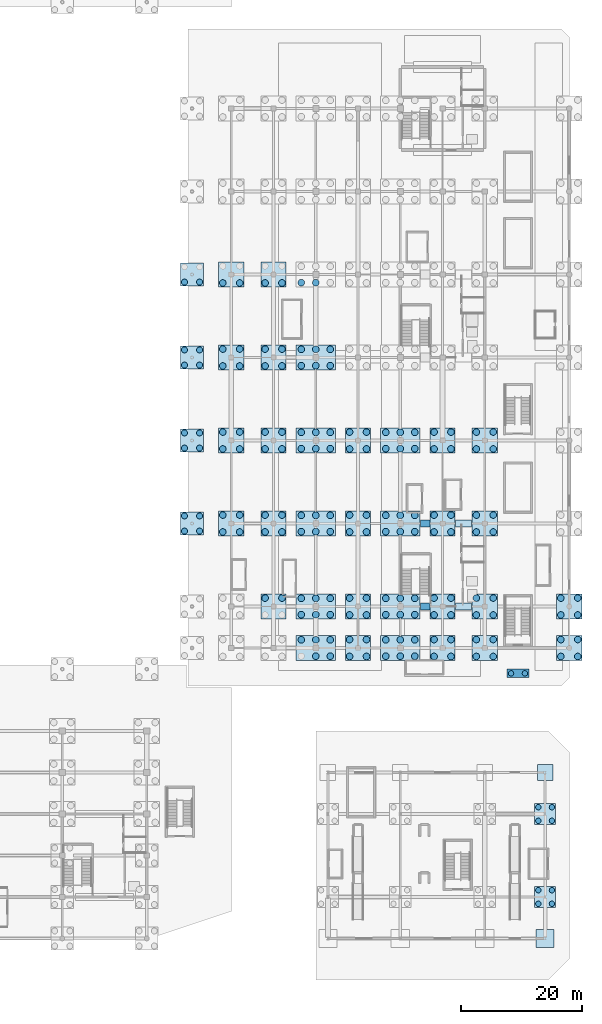
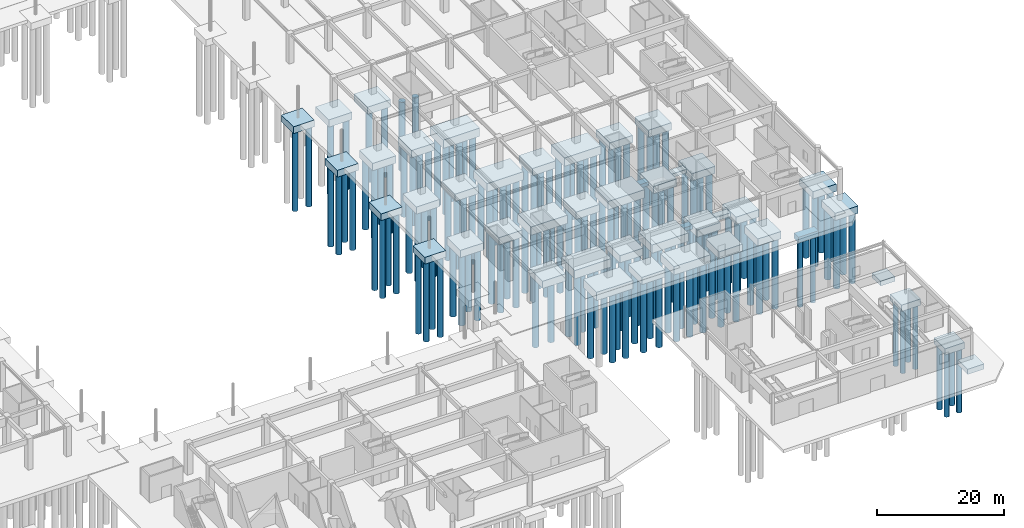
# One storey, part 4 of 62: 165 piles, 45 footings.
"""IFC4 building model written with IfcOpenShell, lengths in metres."""

from ifc_helpers import new_model, si_unit, direction, frame, origin, origin_2d, place, context, subcontext, project, spatial, rectangle, circle, extrude, material, material_profile, profile_set, type_object, element, save


model = new_model("IFC4")

# Units and contexts
model_context = context("Model", 3, precision=1e-05, world=origin(), true_north=direction((0.0, 1.0)))
body_context = subcontext(model_context, "Body", "Model", "MODEL_VIEW")
ifc_project = project(units=[si_unit("LENGTHUNIT", "METRE"), si_unit("AREAUNIT", "SQUARE_METRE"), si_unit("VOLUMEUNIT", "CUBIC_METRE"), si_unit("PLANEANGLEUNIT", "RADIAN"), si_unit("MASSUNIT", "GRAM", prefix="KILO")], contexts=[model_context])

# Site, building, storey
site_placement = place(None, origin())
site = spatial("IfcSite", under=ifc_project, at=site_placement, CompositionType="ELEMENT")
building_placement = place(site_placement, origin())
building = spatial("IfcBuilding", under=site, at=building_placement, Name="Linyun Crest Stadium", CompositionType="ELEMENT")
storey_placement = place(building_placement, frame((0.0, 0.0, -6.0)))
storey = spatial("IfcBuildingStorey", under=building, at=storey_placement, Name="B1", CompositionType="ELEMENT", Elevation=-6.0)

# Piles
ifc_material_1 = material(Name="Concrete C40", Category="concrete")
ifc_material_profile_1 = material_profile(ifc_material_1, circle(Radius=0.449951171875, at=origin_2d()), Name="BORED PILE 900")
ifc_profile_set_1 = profile_set([ifc_material_profile_1], Name="Concrete C40")
pile_type_1 = type_object("IfcPileType", Name="P01", PredefinedType="BORED", material=ifc_profile_set_1)
for number, where, z_axis, x_axis, name in (
    (1, (92.875, -88.375, -1.699951171875), (0.0, 0.0, -1.0), (1.0, 0.0, 0.0), "Bored pile P01 913"),
    (2, (92.875, -86.125, -1.699951171875), (0.0, 0.0, -1.0), (1.0, 0.0, 0.0), "Bored pile P01 914"),
    (3, (95.125, -88.375, -1.699951171875), (0.0, 0.0, -1.0), (1.0, 0.0, 0.0), "Bored pile P01 915"),
    (4, (95.125, -86.125, -1.699951171875), (0.0, 0.0, -1.0), (1.0, 0.0, 0.0), "Bored pile P01 916"),
    (5, (92.875, -74.625, -1.699951171875), (0.0, 0.0, -1.0), (1.0, 0.0, 0.0), "Bored pile P01 917"),
    (6, (92.875, -72.375, -1.699951171875), (0.0, 0.0, -1.0), (1.0, 0.0, 0.0), "Bored pile P01 918"),
    (7, (95.125, -74.625, -1.699951171875), (0.0, 0.0, -1.0), (1.0, 0.0, 0.0), "Bored pile P01 919"),
    (8, (95.125, -72.375, -1.699951171875), (0.0, 0.0, -1.0), (1.0, 0.0, 0.0), "Bored pile P01 920"),
):
    element("IfcPile", number, at=place(storey_placement, frame(where, z_axis=z_axis, x_axis=x_axis)), inside=storey, type_object=pile_type_1, Name=name, PredefinedType="BORED", context=body_context, shape_type="SweptSolid", body=[
        extrude(circle(Radius=0.449951171875, at=origin_2d()), origin(), (0.0, 0.0, 1.0), 12.300048828125),
    ])
for number, where, z_axis, x_axis, name in (
    (9, (88.35009765625, -50.199951171875, -1.75), (0.0, 0.0, -1.0), (1.0, 0.0, 0.0), "Bored pile P01 923"),
    (10, (90.64990234375, -50.199951171875, -1.75), (0.0, 0.0, -1.0), (1.0, 0.0, 0.0), "Bored pile P01 924"),
):
    element("IfcPile", number, at=place(storey_placement, frame(where, z_axis=z_axis, x_axis=x_axis)), inside=storey, type_object=pile_type_1, Name=name, PredefinedType="BORED", context=body_context, shape_type="SweptSolid", body=[
        extrude(circle(Radius=0.449951171875, at=origin_2d()), origin(), (0.0, 0.0, 1.0), 12.75),
    ])
ifc_material_2 = material(Name="Concrete C40", Category="concrete")
ifc_material_profile_2 = material_profile(ifc_material_2, circle(Radius=0.5, at=origin_2d()), Name="BORED PILE 1000")
ifc_profile_set_2 = profile_set([ifc_material_profile_2], Name="Concrete C40")
pile_type_2 = type_object("IfcPileType", Name="P02", PredefinedType="BORED", material=ifc_profile_set_2)
for number, where, z_axis, x_axis, name in (
    (11, (34.25, -26.625, -1.199951171875), (0.0, 0.0, -1.0), (1.0, 0.0, 0.0), "Bored pile P02 arch 22.1"),
    (12, (34.25, -24.125, -1.199951171875), (0.0, 0.0, -1.0), (1.0, 0.0, 0.0), "Bored pile P02 arch 22.2"),
    (13, (36.75, -26.625, -1.199951171875), (0.0, 0.0, -1.0), (1.0, 0.0, 0.0), "Bored pile P02 arch 22.3"),
    (14, (36.75, -24.125, -1.199951171875), (0.0, 0.0, -1.0), (1.0, 0.0, 0.0), "Bored pile P02 arch 22.4"),
    (15, (34.25, -12.875, -1.199951171875), (0.0, 0.0, -1.0), (1.0, 0.0, 0.0), "Bored pile P02 arch 24.1"),
    (16, (34.25, -10.375, -1.199951171875), (0.0, 0.0, -1.0), (1.0, 0.0, 0.0), "Bored pile P02 arch 24.2"),
    (17, (36.75, -12.875, -1.199951171875), (0.0, 0.0, -1.0), (1.0, 0.0, 0.0), "Bored pile P02 arch 24.3"),
    (18, (36.75, -10.375, -1.199951171875), (0.0, 0.0, -1.0), (1.0, 0.0, 0.0), "Bored pile P02 arch 24.4"),
    (19, (34.25, 0.875, -1.199951171875), (0.0, 0.0, -1.0), (1.0, 0.0, 0.0), "Bored pile P02 arch 26.1"),
    (20, (34.25, 3.375, -1.199951171875), (0.0, 0.0, -1.0), (1.0, 0.0, 0.0), "Bored pile P02 arch 26.2"),
    (21, (36.75, 0.875, -1.199951171875), (0.0, 0.0, -1.0), (1.0, 0.0, 0.0), "Bored pile P02 arch 26.3"),
    (22, (36.75, 3.375, -1.199951171875), (0.0, 0.0, -1.0), (1.0, 0.0, 0.0), "Bored pile P02 arch 26.4"),
    (23, (34.25, 14.625, -1.199951171875), (0.0, 0.0, -1.0), (1.0, 0.0, 0.0), "Bored pile P02 arch 28.1"),
    (24, (36.75, 14.625, -1.199951171875), (0.0, 0.0, -1.0), (1.0, 0.0, 0.0), "Bored pile P02 arch 28.3"),
):
    element("IfcPile", number, at=place(storey_placement, frame(where, z_axis=z_axis, x_axis=x_axis)), inside=storey, type_object=pile_type_2, Name=name, PredefinedType="BORED", context=body_context, shape_type="SweptSolid", body=[
        extrude(circle(Radius=0.5, at=origin_2d()), origin(), (0.0, 0.0, 1.0), 15.300048828125),
    ])
ifc_material_3 = material(Name="Concrete C40", Category="concrete")
ifc_material_profile_3 = material_profile(ifc_material_3, circle(Radius=0.550048828125, at=origin_2d()), Name="BORED PILE 1100")
ifc_profile_set_3 = profile_set([ifc_material_profile_3], Name="Concrete C40")
pile_type_3 = type_object("IfcPileType", Name="P03", PredefinedType="BORED", material=ifc_profile_set_3)
for number, where, z_axis, x_axis, name in (
    (25, (40.60009765625, -26.77490234375, -2.050048828125), (0.0, 0.0, -1.0), (1.0, 0.0, 0.0), "Bored pile P03 297"),
    (26, (40.60009765625, -23.97509765625, -2.050048828125), (0.0, 0.0, -1.0), (1.0, 0.0, 0.0), "Bored pile P03 298"),
    (27, (43.39990234375, -26.77490234375, -2.050048828125), (0.0, 0.0, -1.0), (1.0, 0.0, 0.0), "Bored pile P03 299"),
    (28, (43.39990234375, -23.97509765625, -2.050048828125), (0.0, 0.0, -1.0), (1.0, 0.0, 0.0), "Bored pile P03 300"),
    (29, (40.60009765625, -13.02490234375, -2.050048828125), (0.0, 0.0, -1.0), (1.0, 0.0, 0.0), "Bored pile P03 301"),
    (30, (40.60009765625, -10.22509765625, -2.050048828125), (0.0, 0.0, -1.0), (1.0, 0.0, 0.0), "Bored pile P03 302"),
    (31, (43.39990234375, -13.02490234375, -2.050048828125), (0.0, 0.0, -1.0), (1.0, 0.0, 0.0), "Bored pile P03 303"),
    (32, (43.39990234375, -10.22509765625, -2.050048828125), (0.0, 0.0, -1.0), (1.0, 0.0, 0.0), "Bored pile P03 304"),
    (33, (40.60009765625, 0.72509765625, -2.050048828125), (0.0, 0.0, -1.0), (1.0, 0.0, 0.0), "Bored pile P03 305"),
    (34, (40.60009765625, 3.52490234375, -2.050048828125), (0.0, 0.0, -1.0), (1.0, 0.0, 0.0), "Bored pile P03 306"),
    (35, (43.39990234375, 0.72509765625, -2.050048828125), (0.0, 0.0, -1.0), (1.0, 0.0, 0.0), "Bored pile P03 307"),
    (36, (43.39990234375, 3.52490234375, -2.050048828125), (0.0, 0.0, -1.0), (1.0, 0.0, 0.0), "Bored pile P03 308"),
    (37, (40.60009765625, 14.47509765625, -2.050048828125), (0.0, 0.0, -1.0), (1.0, 0.0, 0.0), "Bored pile P03 309"),
    (38, (43.39990234375, 14.47509765625, -2.050048828125), (0.0, 0.0, -1.0), (1.0, 0.0, 0.0), "Bored pile P03 311"),
    (39, (47.60009765625, -37.72509765625, -2.050048828125), (0.0, 0.0, -1.0), (1.0, 0.0, 0.0), "Bored pile P03 326"),
    (40, (50.39990234375, -37.72509765625, -2.050048828125), (0.0, 0.0, -1.0), (1.0, 0.0, 0.0), "Bored pile P03 328"),
    (41, (47.60009765625, -26.77490234375, -2.050048828125), (0.0, 0.0, -1.0), (1.0, 0.0, 0.0), "Bored pile P03 329"),
    (42, (47.60009765625, -23.97509765625, -2.050048828125), (0.0, 0.0, -1.0), (1.0, 0.0, 0.0), "Bored pile P03 330"),
    (43, (50.39990234375, -26.77490234375, -2.050048828125), (0.0, 0.0, -1.0), (1.0, 0.0, 0.0), "Bored pile P03 331"),
    (44, (50.39990234375, -23.97509765625, -2.050048828125), (0.0, 0.0, -1.0), (1.0, 0.0, 0.0), "Bored pile P03 332"),
    (45, (47.60009765625, -13.02490234375, -2.050048828125), (0.0, 0.0, -1.0), (1.0, 0.0, 0.0), "Bored pile P03 333"),
    (46, (47.60009765625, -10.22509765625, -2.050048828125), (0.0, 0.0, -1.0), (1.0, 0.0, 0.0), "Bored pile P03 334"),
    (47, (50.39990234375, -13.02490234375, -2.050048828125), (0.0, 0.0, -1.0), (1.0, 0.0, 0.0), "Bored pile P03 335"),
    (48, (50.39990234375, -10.22509765625, -2.050048828125), (0.0, 0.0, -1.0), (1.0, 0.0, 0.0), "Bored pile P03 336"),
    (49, (47.60009765625, 0.72509765625, -2.050048828125), (0.0, 0.0, -1.0), (1.0, 0.0, 0.0), "Bored pile P03 337"),
    (50, (47.60009765625, 3.52490234375, -2.050048828125), (0.0, 0.0, -1.0), (1.0, 0.0, 0.0), "Bored pile P03 338"),
    (51, (50.39990234375, 0.72509765625, -2.050048828125), (0.0, 0.0, -1.0), (1.0, 0.0, 0.0), "Bored pile P03 339"),
    (52, (50.39990234375, 3.52490234375, -2.050048828125), (0.0, 0.0, -1.0), (1.0, 0.0, 0.0), "Bored pile P03 340"),
    (53, (47.60009765625, 14.47509765625, -2.050048828125), (0.0, 0.0, -1.0), (1.0, 0.0, 0.0), "Bored pile P03 341"),
    (54, (50.39990234375, 14.47509765625, -2.050048828125), (0.0, 0.0, -1.0), (1.0, 0.0, 0.0), "Bored pile P03 343"),
):
    element("IfcPile", number, at=place(storey_placement, frame(where, z_axis=z_axis, x_axis=x_axis)), inside=storey, type_object=pile_type_3, Name=name, PredefinedType="BORED", context=body_context, shape_type="SweptSolid", body=[
        extrude(circle(Radius=0.550048828125, at=origin_2d()), origin(), (0.0, 0.0, 1.0), 13.449951171875),
    ])
for number, where, z_axis, x_axis, name in (
    (55, (53.60009765625, -44.64990234375, -2.25), (0.0, 0.0, -1.0), (1.0, 0.0, 0.0), "Bored pile P03 354"),
    (56, (56.0, -47.35009765625, -2.25), (0.0, 0.0, -1.0), (1.0, 0.0, 0.0), "Bored pile P03 355"),
    (57, (56.0, -44.64990234375, -2.25), (0.0, 0.0, -1.0), (1.0, 0.0, 0.0), "Bored pile P03 356"),
    (58, (58.39990234375, -47.35009765625, -2.25), (0.0, 0.0, -1.0), (1.0, 0.0, 0.0), "Bored pile P03 357"),
    (59, (58.39990234375, -44.64990234375, -2.25), (0.0, 0.0, -1.0), (1.0, 0.0, 0.0), "Bored pile P03 358"),
    (60, (53.60009765625, -40.47509765625, -2.25), (0.0, 0.0, -1.0), (1.0, 0.0, 0.0), "Bored pile P03 359"),
    (61, (53.60009765625, -37.77490234375, -2.25), (0.0, 0.0, -1.0), (1.0, 0.0, 0.0), "Bored pile P03 360"),
    (62, (56.0, -40.47509765625, -2.25), (0.0, 0.0, -1.0), (1.0, 0.0, 0.0), "Bored pile P03 361"),
    (63, (56.0, -37.77490234375, -2.25), (0.0, 0.0, -1.0), (1.0, 0.0, 0.0), "Bored pile P03 362"),
    (64, (58.39990234375, -40.47509765625, -2.25), (0.0, 0.0, -1.0), (1.0, 0.0, 0.0), "Bored pile P03 363"),
    (65, (58.39990234375, -37.77490234375, -2.25), (0.0, 0.0, -1.0), (1.0, 0.0, 0.0), "Bored pile P03 364"),
    (66, (53.60009765625, -26.72509765625, -2.25), (0.0, 0.0, -1.0), (1.0, 0.0, 0.0), "Bored pile P03 365"),
    (67, (53.60009765625, -24.02490234375, -2.25), (0.0, 0.0, -1.0), (1.0, 0.0, 0.0), "Bored pile P03 366"),
    (68, (56.0, -26.72509765625, -2.25), (0.0, 0.0, -1.0), (1.0, 0.0, 0.0), "Bored pile P03 367"),
    (69, (56.0, -24.02490234375, -2.25), (0.0, 0.0, -1.0), (1.0, 0.0, 0.0), "Bored pile P03 368"),
    (70, (58.39990234375, -26.72509765625, -2.25), (0.0, 0.0, -1.0), (1.0, 0.0, 0.0), "Bored pile P03 369"),
    (71, (58.39990234375, -24.02490234375, -2.25), (0.0, 0.0, -1.0), (1.0, 0.0, 0.0), "Bored pile P03 370"),
    (72, (53.60009765625, -12.97509765625, -2.25), (0.0, 0.0, -1.0), (1.0, 0.0, 0.0), "Bored pile P03 371"),
    (73, (53.60009765625, -10.27490234375, -2.25), (0.0, 0.0, -1.0), (1.0, 0.0, 0.0), "Bored pile P03 372"),
    (74, (56.0, -12.97509765625, -2.25), (0.0, 0.0, -1.0), (1.0, 0.0, 0.0), "Bored pile P03 373"),
    (75, (56.0, -10.27490234375, -2.25), (0.0, 0.0, -1.0), (1.0, 0.0, 0.0), "Bored pile P03 374"),
    (76, (58.39990234375, -12.97509765625, -2.25), (0.0, 0.0, -1.0), (1.0, 0.0, 0.0), "Bored pile P03 375"),
    (77, (58.39990234375, -10.27490234375, -2.25), (0.0, 0.0, -1.0), (1.0, 0.0, 0.0), "Bored pile P03 376"),
    (78, (53.60009765625, 0.77490234375, -2.25), (0.0, 0.0, -1.0), (1.0, 0.0, 0.0), "Bored pile P03 377"),
    (79, (53.60009765625, 3.47509765625, -2.25), (0.0, 0.0, -1.0), (1.0, 0.0, 0.0), "Bored pile P03 378"),
    (80, (56.0, 0.77490234375, -2.25), (0.0, 0.0, -1.0), (1.0, 0.0, 0.0), "Bored pile P03 379"),
    (81, (56.0, 3.47509765625, -2.25), (0.0, 0.0, -1.0), (1.0, 0.0, 0.0), "Bored pile P03 380"),
    (82, (58.39990234375, 0.77490234375, -2.25), (0.0, 0.0, -1.0), (1.0, 0.0, 0.0), "Bored pile P03 381"),
    (83, (58.39990234375, 3.47509765625, -2.25), (0.0, 0.0, -1.0), (1.0, 0.0, 0.0), "Bored pile P03 382"),
    (84, (53.60009765625, 14.52490234375, -2.25), (0.0, 0.0, -1.0), (1.0, 0.0, 0.0), "Bored pile P03 383"),
    (85, (56.0, 14.52490234375, -2.25), (0.0, 0.0, -1.0), (1.0, 0.0, 0.0), "Bored pile P03 385"),
):
    element("IfcPile", number, at=place(storey_placement, frame(where, z_axis=z_axis, x_axis=x_axis)), inside=storey, type_object=pile_type_3, Name=name, PredefinedType="BORED", context=body_context, shape_type="SweptSolid", body=[
        extrude(circle(Radius=0.550048828125, at=origin_2d()), origin(), (0.0, 0.0, 1.0), 13.25),
    ])
for number, where, z_axis, x_axis, name in (
    (86, (61.60009765625, -47.39990234375, -2.050048828125), (0.0, 0.0, -1.0), (1.0, 0.0, 0.0), "Bored pile P03 401"),
    (87, (61.60009765625, -44.60009765625, -2.050048828125), (0.0, 0.0, -1.0), (1.0, 0.0, 0.0), "Bored pile P03 402"),
    (88, (64.39990234375, -47.39990234375, -2.050048828125), (0.0, 0.0, -1.0), (1.0, 0.0, 0.0), "Bored pile P03 403"),
    (89, (64.39990234375, -44.60009765625, -2.050048828125), (0.0, 0.0, -1.0), (1.0, 0.0, 0.0), "Bored pile P03 404"),
    (90, (61.60009765625, -40.52490234375, -2.050048828125), (0.0, 0.0, -1.0), (1.0, 0.0, 0.0), "Bored pile P03 405"),
    (91, (61.60009765625, -37.72509765625, -2.050048828125), (0.0, 0.0, -1.0), (1.0, 0.0, 0.0), "Bored pile P03 406"),
    (92, (64.39990234375, -40.52490234375, -2.050048828125), (0.0, 0.0, -1.0), (1.0, 0.0, 0.0), "Bored pile P03 407"),
    (93, (64.39990234375, -37.72509765625, -2.050048828125), (0.0, 0.0, -1.0), (1.0, 0.0, 0.0), "Bored pile P03 408"),
    (94, (61.60009765625, -26.77490234375, -2.050048828125), (0.0, 0.0, -1.0), (1.0, 0.0, 0.0), "Bored pile P03 409"),
    (95, (61.60009765625, -23.97509765625, -2.050048828125), (0.0, 0.0, -1.0), (1.0, 0.0, 0.0), "Bored pile P03 410"),
    (96, (64.39990234375, -26.77490234375, -2.050048828125), (0.0, 0.0, -1.0), (1.0, 0.0, 0.0), "Bored pile P03 411"),
    (97, (64.39990234375, -23.97509765625, -2.050048828125), (0.0, 0.0, -1.0), (1.0, 0.0, 0.0), "Bored pile P03 412"),
    (98, (61.60009765625, -13.02490234375, -2.050048828125), (0.0, 0.0, -1.0), (1.0, 0.0, 0.0), "Bored pile P03 413"),
    (99, (61.60009765625, -10.22509765625, -2.050048828125), (0.0, 0.0, -1.0), (1.0, 0.0, 0.0), "Bored pile P03 414"),
    (100, (64.39990234375, -13.02490234375, -2.050048828125), (0.0, 0.0, -1.0), (1.0, 0.0, 0.0), "Bored pile P03 415"),
    (101, (64.39990234375, -10.22509765625, -2.050048828125), (0.0, 0.0, -1.0), (1.0, 0.0, 0.0), "Bored pile P03 416"),
):
    element("IfcPile", number, at=place(storey_placement, frame(where, z_axis=z_axis, x_axis=x_axis)), inside=storey, type_object=pile_type_3, Name=name, PredefinedType="BORED", context=body_context, shape_type="SweptSolid", body=[
        extrude(circle(Radius=0.550048828125, at=origin_2d()), origin(), (0.0, 0.0, 1.0), 13.449951171875),
    ])
for number, where, z_axis, x_axis, name in (
    (102, (67.60009765625, -47.35009765625, -2.25), (0.0, 0.0, -1.0), (1.0, 0.0, 0.0), "Bored pile P03 433"),
    (103, (67.60009765625, -44.64990234375, -2.25), (0.0, 0.0, -1.0), (1.0, 0.0, 0.0), "Bored pile P03 434"),
    (104, (70.0, -47.35009765625, -2.25), (0.0, 0.0, -1.0), (1.0, 0.0, 0.0), "Bored pile P03 435"),
    (105, (70.0, -44.64990234375, -2.25), (0.0, 0.0, -1.0), (1.0, 0.0, 0.0), "Bored pile P03 436"),
    (106, (72.39990234375, -47.35009765625, -2.25), (0.0, 0.0, -1.0), (1.0, 0.0, 0.0), "Bored pile P03 437"),
    (107, (72.39990234375, -44.64990234375, -2.25), (0.0, 0.0, -1.0), (1.0, 0.0, 0.0), "Bored pile P03 438"),
    (108, (67.60009765625, -40.47509765625, -2.25), (0.0, 0.0, -1.0), (1.0, 0.0, 0.0), "Bored pile P03 439"),
    (109, (67.60009765625, -37.77490234375, -2.25), (0.0, 0.0, -1.0), (1.0, 0.0, 0.0), "Bored pile P03 440"),
    (110, (70.0, -40.47509765625, -2.25), (0.0, 0.0, -1.0), (1.0, 0.0, 0.0), "Bored pile P03 441"),
    (111, (70.0, -37.77490234375, -2.25), (0.0, 0.0, -1.0), (1.0, 0.0, 0.0), "Bored pile P03 442"),
    (112, (72.39990234375, -40.47509765625, -2.25), (0.0, 0.0, -1.0), (1.0, 0.0, 0.0), "Bored pile P03 443"),
    (113, (72.39990234375, -37.77490234375, -2.25), (0.0, 0.0, -1.0), (1.0, 0.0, 0.0), "Bored pile P03 444"),
    (114, (67.60009765625, -26.72509765625, -2.25), (0.0, 0.0, -1.0), (1.0, 0.0, 0.0), "Bored pile P03 445"),
    (115, (67.60009765625, -24.02490234375, -2.25), (0.0, 0.0, -1.0), (1.0, 0.0, 0.0), "Bored pile P03 446"),
    (116, (70.0, -26.72509765625, -2.25), (0.0, 0.0, -1.0), (1.0, 0.0, 0.0), "Bored pile P03 447"),
    (117, (70.0, -24.02490234375, -2.25), (0.0, 0.0, -1.0), (1.0, 0.0, 0.0), "Bored pile P03 448"),
    (118, (72.39990234375, -26.72509765625, -2.25), (0.0, 0.0, -1.0), (1.0, 0.0, 0.0), "Bored pile P03 449"),
    (119, (72.39990234375, -24.02490234375, -2.25), (0.0, 0.0, -1.0), (1.0, 0.0, 0.0), "Bored pile P03 450"),
    (120, (67.60009765625, -12.97509765625, -2.25), (0.0, 0.0, -1.0), (1.0, 0.0, 0.0), "Bored pile P03 451"),
    (121, (67.60009765625, -10.27490234375, -2.25), (0.0, 0.0, -1.0), (1.0, 0.0, 0.0), "Bored pile P03 452"),
    (122, (70.0, -12.97509765625, -2.25), (0.0, 0.0, -1.0), (1.0, 0.0, 0.0), "Bored pile P03 453"),
    (123, (70.0, -10.27490234375, -2.25), (0.0, 0.0, -1.0), (1.0, 0.0, 0.0), "Bored pile P03 454"),
    (124, (72.39990234375, -12.97509765625, -2.25), (0.0, 0.0, -1.0), (1.0, 0.0, 0.0), "Bored pile P03 455"),
    (125, (72.39990234375, -10.27490234375, -2.25), (0.0, 0.0, -1.0), (1.0, 0.0, 0.0), "Bored pile P03 456"),
):
    element("IfcPile", number, at=place(storey_placement, frame(where, z_axis=z_axis, x_axis=x_axis)), inside=storey, type_object=pile_type_3, Name=name, PredefinedType="BORED", context=body_context, shape_type="SweptSolid", body=[
        extrude(circle(Radius=0.550048828125, at=origin_2d()), origin(), (0.0, 0.0, 1.0), 13.25),
    ])
for number, where, z_axis, x_axis, name in (
    (126, (75.60009765625, -47.39990234375, -2.050048828125), (0.0, 0.0, -1.0), (1.0, 0.0, 0.0), "Bored pile P03 481"),
    (127, (75.60009765625, -44.60009765625, -2.050048828125), (0.0, 0.0, -1.0), (1.0, 0.0, 0.0), "Bored pile P03 482"),
    (128, (78.39990234375, -47.39990234375, -2.050048828125), (0.0, 0.0, -1.0), (1.0, 0.0, 0.0), "Bored pile P03 483"),
    (129, (78.39990234375, -44.60009765625, -2.050048828125), (0.0, 0.0, -1.0), (1.0, 0.0, 0.0), "Bored pile P03 484"),
    (130, (75.60009765625, -40.52490234375, -2.050048828125), (0.0, 0.0, -1.0), (1.0, 0.0, 0.0), "Bored pile P03 485"),
    (131, (75.60009765625, -37.72509765625, -2.050048828125), (0.0, 0.0, -1.0), (1.0, 0.0, 0.0), "Bored pile P03 486"),
    (132, (78.39990234375, -40.52490234375, -2.050048828125), (0.0, 0.0, -1.0), (1.0, 0.0, 0.0), "Bored pile P03 487"),
    (133, (78.39990234375, -37.72509765625, -2.050048828125), (0.0, 0.0, -1.0), (1.0, 0.0, 0.0), "Bored pile P03 488"),
    (134, (75.60009765625, -26.77490234375, -2.050048828125), (0.0, 0.0, -1.0), (1.0, 0.0, 0.0), "Bored pile P03 489"),
    (135, (75.60009765625, -23.97509765625, -2.050048828125), (0.0, 0.0, -1.0), (1.0, 0.0, 0.0), "Bored pile P03 490"),
    (136, (78.39990234375, -26.77490234375, -2.050048828125), (0.0, 0.0, -1.0), (1.0, 0.0, 0.0), "Bored pile P03 491"),
    (137, (78.39990234375, -23.97509765625, -2.050048828125), (0.0, 0.0, -1.0), (1.0, 0.0, 0.0), "Bored pile P03 492"),
    (138, (75.60009765625, -13.02490234375, -2.050048828125), (0.0, 0.0, -1.0), (1.0, 0.0, 0.0), "Bored pile P03 493"),
    (139, (75.60009765625, -10.22509765625, -2.050048828125), (0.0, 0.0, -1.0), (1.0, 0.0, 0.0), "Bored pile P03 494"),
    (140, (78.39990234375, -13.02490234375, -2.050048828125), (0.0, 0.0, -1.0), (1.0, 0.0, 0.0), "Bored pile P03 495"),
    (141, (78.39990234375, -10.22509765625, -2.050048828125), (0.0, 0.0, -1.0), (1.0, 0.0, 0.0), "Bored pile P03 496"),
    (142, (82.60009765625, -47.39990234375, -2.050048828125), (0.0, 0.0, -1.0), (1.0, 0.0, 0.0), "Bored pile P03 513"),
    (143, (82.60009765625, -44.60009765625, -2.050048828125), (0.0, 0.0, -1.0), (1.0, 0.0, 0.0), "Bored pile P03 514"),
    (144, (85.39990234375, -47.39990234375, -2.050048828125), (0.0, 0.0, -1.0), (1.0, 0.0, 0.0), "Bored pile P03 515"),
    (145, (85.39990234375, -44.60009765625, -2.050048828125), (0.0, 0.0, -1.0), (1.0, 0.0, 0.0), "Bored pile P03 516"),
    (146, (82.60009765625, -40.52490234375, -2.050048828125), (0.0, 0.0, -1.0), (1.0, 0.0, 0.0), "Bored pile P03 517"),
    (147, (82.60009765625, -37.72509765625, -2.050048828125), (0.0, 0.0, -1.0), (1.0, 0.0, 0.0), "Bored pile P03 518"),
    (148, (85.39990234375, -40.52490234375, -2.050048828125), (0.0, 0.0, -1.0), (1.0, 0.0, 0.0), "Bored pile P03 519"),
    (149, (85.39990234375, -37.72509765625, -2.050048828125), (0.0, 0.0, -1.0), (1.0, 0.0, 0.0), "Bored pile P03 520"),
    (150, (82.60009765625, -26.77490234375, -2.050048828125), (0.0, 0.0, -1.0), (1.0, 0.0, 0.0), "Bored pile P03 521"),
    (151, (82.60009765625, -23.97509765625, -2.050048828125), (0.0, 0.0, -1.0), (1.0, 0.0, 0.0), "Bored pile P03 522"),
    (152, (85.39990234375, -26.77490234375, -2.050048828125), (0.0, 0.0, -1.0), (1.0, 0.0, 0.0), "Bored pile P03 523"),
    (153, (85.39990234375, -23.97509765625, -2.050048828125), (0.0, 0.0, -1.0), (1.0, 0.0, 0.0), "Bored pile P03 524"),
    (154, (82.60009765625, -13.02490234375, -2.050048828125), (0.0, 0.0, -1.0), (1.0, 0.0, 0.0), "Bored pile P03 525"),
    (155, (82.60009765625, -10.22509765625, -2.050048828125), (0.0, 0.0, -1.0), (1.0, 0.0, 0.0), "Bored pile P03 526"),
    (156, (85.39990234375, -13.02490234375, -2.050048828125), (0.0, 0.0, -1.0), (1.0, 0.0, 0.0), "Bored pile P03 527"),
    (157, (85.39990234375, -10.22509765625, -2.050048828125), (0.0, 0.0, -1.0), (1.0, 0.0, 0.0), "Bored pile P03 528"),
    (158, (96.60009765625, -47.39990234375, -2.050048828125), (0.0, 0.0, -1.0), (1.0, 0.0, 0.0), "Bored pile P03 545"),
    (159, (96.60009765625, -44.60009765625, -2.050048828125), (0.0, 0.0, -1.0), (1.0, 0.0, 0.0), "Bored pile P03 546"),
    (160, (99.39990234375, -47.39990234375, -2.050048828125), (0.0, 0.0, -1.0), (1.0, 0.0, 0.0), "Bored pile P03 547"),
    (161, (99.39990234375, -44.60009765625, -2.050048828125), (0.0, 0.0, -1.0), (1.0, 0.0, 0.0), "Bored pile P03 548"),
    (162, (96.60009765625, -40.52490234375, -2.050048828125), (0.0, 0.0, -1.0), (1.0, 0.0, 0.0), "Bored pile P03 549"),
    (163, (96.60009765625, -37.72509765625, -2.050048828125), (0.0, 0.0, -1.0), (1.0, 0.0, 0.0), "Bored pile P03 550"),
    (164, (99.39990234375, -40.52490234375, -2.050048828125), (0.0, 0.0, -1.0), (1.0, 0.0, 0.0), "Bored pile P03 551"),
    (165, (99.39990234375, -37.72509765625, -2.050048828125), (0.0, 0.0, -1.0), (1.0, 0.0, 0.0), "Bored pile P03 552"),
):
    element("IfcPile", number, at=place(storey_placement, frame(where, z_axis=z_axis, x_axis=x_axis)), inside=storey, type_object=pile_type_3, Name=name, PredefinedType="BORED", context=body_context, shape_type="SweptSolid", body=[
        extrude(circle(Radius=0.550048828125, at=origin_2d()), origin(), (0.0, 0.0, 1.0), 13.449951171875),
    ])

# Footings
ifc_material_4 = material(Name="Concrete C40", Category="concrete")
footing_type_1 = type_object("IfcFootingType", Name="PC01", PredefinedType="PILE_CAP", material=ifc_material_4)
footing_1_placement = place(storey_placement, frame((89.5, -50.199951171875, -1.85009765625), z_axis=(0.0, 0.0, 1.0), x_axis=(1.0, 0.0, 0.0)))
element("IfcFooting", 166, at=footing_1_placement, inside=storey, type_object=footing_type_1, Name="Foundation PC01 225", PredefinedType="PILE_CAP", context=body_context, shape_type="SweptSolid", body=[
    extrude(rectangle(XDim=3.60009765625, YDim=1.39990234375, at=origin_2d()), origin(), (0.0, 0.0, 1.0), 1.10009765625),
])
ifc_material_5 = material(Name="Concrete C40", Category="concrete")
footing_type_2 = type_object("IfcFootingType", Name="PC02", PredefinedType="PILE_CAP", material=ifc_material_5)
for number, where, z_axis, x_axis, name in (
    (167, (35.5, -25.375, -1.2998046875), (0.0, 0.0, 1.0), (1.0, 0.0, 0.0), "Foundation PC02 arch 22"),
    (168, (35.5, -11.625, -1.2998046875), (0.0, 0.0, 1.0), (1.0, 0.0, 0.0), "Foundation PC02 arch 24"),
    (169, (35.5, 2.125, -1.2998046875), (0.0, 0.0, 1.0), (1.0, 0.0, 0.0), "Foundation PC02 arch 26"),
    (170, (35.5, 15.875, -1.2998046875), (0.0, 0.0, 1.0), (1.0, 0.0, 0.0), "Foundation PC02 arch 28"),
):
    element("IfcFooting", number, at=place(storey_placement, frame(where, z_axis=z_axis, x_axis=x_axis)), inside=storey, type_object=footing_type_2, Name=name, PredefinedType="PILE_CAP", context=body_context, shape_type="SweptSolid", body=[
        extrude(rectangle(XDim=3.800048828125, YDim=3.800048828125, at=origin_2d()), origin(), (0.0, 0.0, 1.0), 1.300048828125),
    ])
ifc_material_6 = material(Name="Concrete C40", Category="concrete")
footing_type_3 = type_object("IfcFootingType", Name="PC03", PredefinedType="PILE_CAP", material=ifc_material_6)
for number, where, z_axis, x_axis, name in (
    (171, (42.0, -25.375, -2.14990234375), (0.0, 0.0, 1.0), (1.0, 0.0, 0.0), "Foundation PC03 67"),
    (172, (42.0, -11.625, -2.14990234375), (0.0, 0.0, 1.0), (1.0, 0.0, 0.0), "Foundation PC03 68"),
    (173, (42.0, 2.125, -2.14990234375), (0.0, 0.0, 1.0), (1.0, 0.0, 0.0), "Foundation PC03 69"),
    (174, (42.0, 15.875, -2.14990234375), (0.0, 0.0, 1.0), (1.0, 0.0, 0.0), "Foundation PC03 70"),
    (175, (49.0, -39.125, -2.14990234375), (0.0, 0.0, 1.0), (1.0, 0.0, 0.0), "Foundation PC03 74"),
    (176, (49.0, -25.375, -2.14990234375), (0.0, 0.0, 1.0), (1.0, 0.0, 0.0), "Foundation PC03 75"),
    (177, (49.0, -11.625, -2.14990234375), (0.0, 0.0, 1.0), (1.0, 0.0, 0.0), "Foundation PC03 76"),
    (178, (49.0, 2.125, -2.14990234375), (0.0, 0.0, 1.0), (1.0, 0.0, 0.0), "Foundation PC03 77"),
    (179, (49.0, 15.875, -2.14990234375), (0.0, 0.0, 1.0), (1.0, 0.0, 0.0), "Foundation PC03 78"),
    (180, (63.0, -46.0, -2.14990234375), (0.0, 0.0, 1.0), (1.0, 0.0, 0.0), "Foundation PC03 89"),
    (181, (63.0, -39.125, -2.14990234375), (0.0, 0.0, 1.0), (1.0, 0.0, 0.0), "Foundation PC03 90"),
    (182, (63.0, -25.375, -2.14990234375), (0.0, 0.0, 1.0), (1.0, 0.0, 0.0), "Foundation PC03 91"),
    (183, (63.0, -11.625, -2.14990234375), (0.0, 0.0, 1.0), (1.0, 0.0, 0.0), "Foundation PC03 92"),
    (184, (77.0, -46.0, -2.14990234375), (0.0, 0.0, 1.0), (1.0, 0.0, 0.0), "Foundation PC03 105"),
    (185, (77.0, -39.125, -2.14990234375), (0.0, 0.0, 1.0), (1.0, 0.0, 0.0), "Foundation PC03 106"),
    (186, (77.0, -25.375, -2.14990234375), (0.0, 0.0, 1.0), (1.0, 0.0, 0.0), "Foundation PC03 107"),
    (187, (77.0, -11.625, -2.14990234375), (0.0, 0.0, 1.0), (1.0, 0.0, 0.0), "Foundation PC03 108"),
    (188, (84.0, -46.0, -2.14990234375), (0.0, 0.0, 1.0), (1.0, 0.0, 0.0), "Foundation PC03 113"),
    (189, (84.0, -39.125, -2.14990234375), (0.0, 0.0, 1.0), (1.0, 0.0, 0.0), "Foundation PC03 114"),
    (190, (84.0, -25.375, -2.14990234375), (0.0, 0.0, 1.0), (1.0, 0.0, 0.0), "Foundation PC03 115"),
    (191, (84.0, -11.625, -2.14990234375), (0.0, 0.0, 1.0), (1.0, 0.0, 0.0), "Foundation PC03 116"),
    (192, (98.0, -46.0, -2.14990234375), (0.0, 0.0, 1.0), (1.0, 0.0, 0.0), "Foundation PC03 121"),
    (193, (98.0, -39.125, -2.14990234375), (0.0, 0.0, 1.0), (1.0, 0.0, 0.0), "Foundation PC03 122"),
):
    element("IfcFooting", number, at=place(storey_placement, frame(where, z_axis=z_axis, x_axis=x_axis)), inside=storey, type_object=footing_type_3, Name=name, PredefinedType="PILE_CAP", context=body_context, shape_type="SweptSolid", body=[
        extrude(rectangle(XDim=4.199951171875, YDim=4.199951171875, at=origin_2d()), origin(), (0.0, 0.0, 1.0), 1.39990234375),
    ])
ifc_material_7 = material(Name="Concrete C40", Category="concrete")
footing_type_4 = type_object("IfcFootingType", Name="PC05", PredefinedType="PILE_CAP", material=ifc_material_7)
for number, where, z_axis, x_axis, name in (
    (194, (56.0, -46.0, -2.35009765625), (0.0, 0.0, 1.0), (1.0, 0.0, 0.0), "Foundation PC05 81"),
    (195, (56.0, -39.125, -2.35009765625), (0.0, 0.0, 1.0), (1.0, 0.0, 0.0), "Foundation PC05 82"),
    (196, (56.0, -25.375, -2.35009765625), (0.0, 0.0, 1.0), (1.0, 0.0, 0.0), "Foundation PC05 83"),
    (197, (56.0, -11.625, -2.35009765625), (0.0, 0.0, 1.0), (1.0, 0.0, 0.0), "Foundation PC05 84"),
    (198, (56.0, 2.125, -2.35009765625), (0.0, 0.0, 1.0), (1.0, 0.0, 0.0), "Foundation PC05 85"),
    (199, (70.0, -46.0, -2.35009765625), (0.0, 0.0, 1.0), (1.0, 0.0, 0.0), "Foundation PC05 97"),
    (200, (70.0, -39.125, -2.35009765625), (0.0, 0.0, 1.0), (1.0, 0.0, 0.0), "Foundation PC05 98"),
    (201, (70.0, -25.375, -2.35009765625), (0.0, 0.0, 1.0), (1.0, 0.0, 0.0), "Foundation PC05 99"),
    (202, (70.0, -11.625, -2.35009765625), (0.0, 0.0, 1.0), (1.0, 0.0, 0.0), "Foundation PC05 100"),
):
    element("IfcFooting", number, at=place(storey_placement, frame(where, z_axis=z_axis, x_axis=x_axis)), inside=storey, type_object=footing_type_4, Name=name, PredefinedType="PILE_CAP", context=body_context, shape_type="SweptSolid", body=[
        extrude(rectangle(XDim=6.60009765625, YDim=4.199951171875, at=origin_2d()), origin(), (0.0, 0.0, 1.0), 1.60009765625),
    ])
ifc_material_8 = material(Name="Concrete C40", Category="concrete")
footing_type_5 = type_object("IfcFootingType", Name="PC08", PredefinedType="PILE_CAP", material=ifc_material_8)
for number, where, z_axis, x_axis, name in (
    (203, (94.0, -87.25, -1.7998046875), (0.0, 0.0, 1.0), (1.0, 0.0, 0.0), "Foundation PC08 221"),
    (204, (94.0, -73.5, -1.7998046875), (0.0, 0.0, 1.0), (1.0, 0.0, 0.0), "Foundation PC08 222"),
):
    element("IfcFooting", number, at=place(storey_placement, frame(where, z_axis=z_axis, x_axis=x_axis)), inside=storey, type_object=footing_type_5, Name=name, PredefinedType="PILE_CAP", context=body_context, shape_type="SweptSolid", body=[
        extrude(rectangle(XDim=3.5, YDim=3.5, at=origin_2d()), origin(), (0.0, 0.0, 1.0), 1.199951171875),
    ])
ifc_material_9 = material(Name="Concrete C40", Category="concrete")
footing_type_6 = type_object("IfcFootingType", Name="PF02", PredefinedType="PAD_FOOTING", material=ifc_material_9)
footing_2_placement = place(storey_placement, frame((94.0, -66.625, -1.5), z_axis=(0.0, 0.0, 1.0), x_axis=(1.0, 0.0, 0.0)))
element("IfcFooting", 205, at=footing_2_placement, inside=storey, type_object=footing_type_6, Name="Foundation PF02 223", PredefinedType="PAD_FOOTING", context=body_context, shape_type="SweptSolid", body=[
    extrude(rectangle(XDim=2.60009765625, YDim=2.60009765625, at=origin_2d()), origin(), (0.0, 0.0, 1.0), 0.89990234375),
])
ifc_material_10 = material(Name="Concrete C40", Category="concrete")
footing_type_7 = type_object("IfcFootingType", Name="PF03", PredefinedType="PAD_FOOTING", material=ifc_material_10)
footing_3_placement = place(storey_placement, frame((94.0, -94.125, -1.60009765625), z_axis=(0.0, 0.0, 1.0), x_axis=(1.0, 0.0, 0.0)))
element("IfcFooting", 206, at=footing_3_placement, inside=storey, type_object=footing_type_7, Name="Foundation PF03 220", PredefinedType="PAD_FOOTING", context=body_context, shape_type="SweptSolid", body=[
    extrude(rectangle(XDim=3.0, YDim=3.0, at=origin_2d()), origin(), (0.0, 0.0, 1.0), 1.0),
])
ifc_material_11 = material(Name="Concrete C40", Category="concrete")
footing_type_8 = type_object("IfcFootingType", Name="SF06", PredefinedType="STRIP_FOOTING", material=ifc_material_11)
for number, where, z_axis, x_axis, name in (
    (207, (74.10009765625, -39.125, -1.4501953125), (0.0, 0.0, 1.0), (1.0, 0.0, 0.0), "Strip footing SF06 11"),
    (208, (74.10009765625, -25.375, -1.4501953125), (0.0, 0.0, 1.0), (1.0, 0.0, 0.0), "Strip footing SF06 13"),
):
    element("IfcFooting", number, at=place(storey_placement, frame(where, z_axis=z_axis, x_axis=x_axis)), inside=storey, type_object=footing_type_8, Name=name, PredefinedType="STRIP_FOOTING", context=body_context, shape_type="SweptSolid", body=[
        extrude(rectangle(XDim=1.580078125, YDim=1.199951171875, at=origin_2d()), origin(), (0.0, 0.0, 1.0), 0.699951171875),
    ])
ifc_material_12 = material(Name="Concrete C40", Category="concrete")
footing_type_9 = type_object("IfcFootingType", Name="SF07", PredefinedType="STRIP_FOOTING", material=ifc_material_12)
for number, where, z_axis, x_axis, name in (
    (209, (80.455078125, -39.125, -1.4501953125), (0.0, 0.0, 1.0), (1.0, 0.0, 0.0), "Strip footing SF07 12"),
    (210, (80.455078125, -25.375, -1.4501953125), (0.0, 0.0, 1.0), (1.0, 0.0, 0.0), "Strip footing SF07 14"),
):
    element("IfcFooting", number, at=place(storey_placement, frame(where, z_axis=z_axis, x_axis=x_axis)), inside=storey, type_object=footing_type_9, Name=name, PredefinedType="STRIP_FOOTING", context=body_context, shape_type="SweptSolid", body=[
        extrude(rectangle(XDim=2.68994140625, YDim=1.199951171875, at=origin_2d()), origin(), (0.0, 0.0, 1.0), 0.699951171875),
    ])

save(model, "model.ifc")
